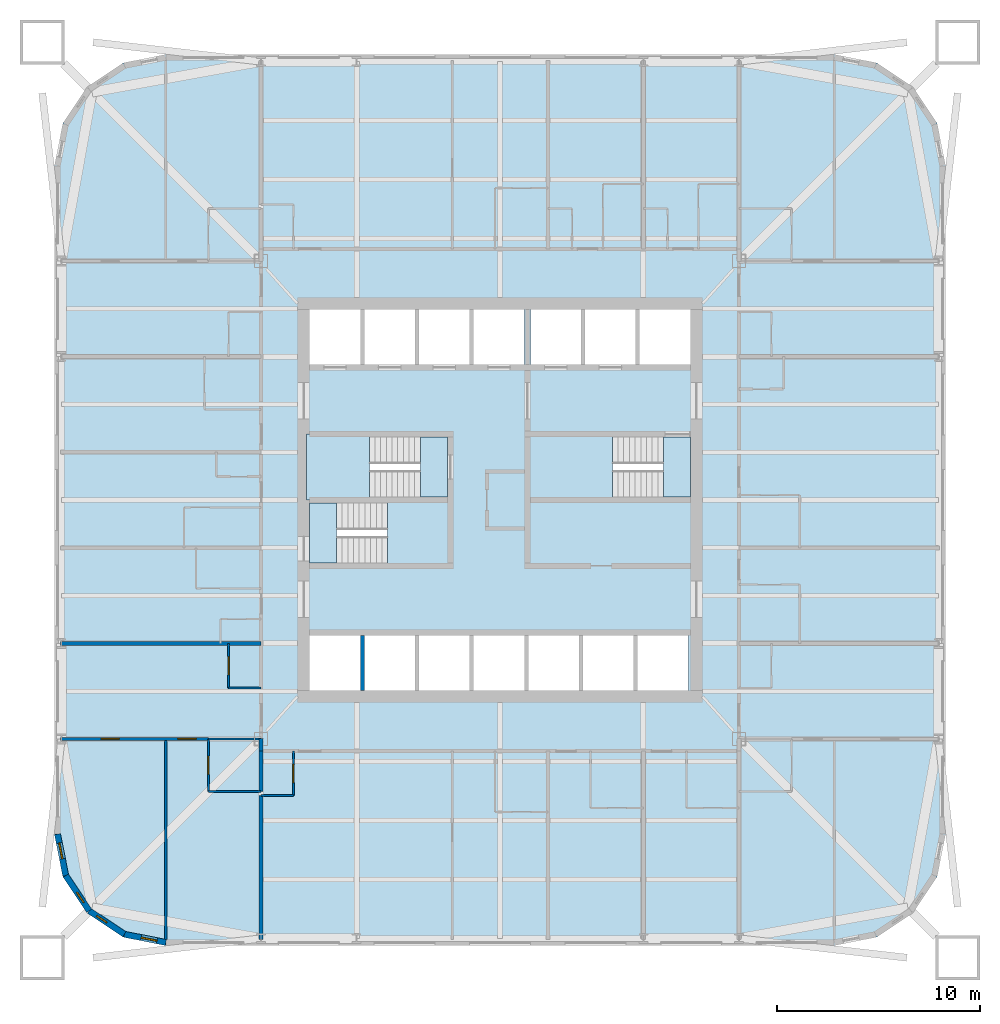
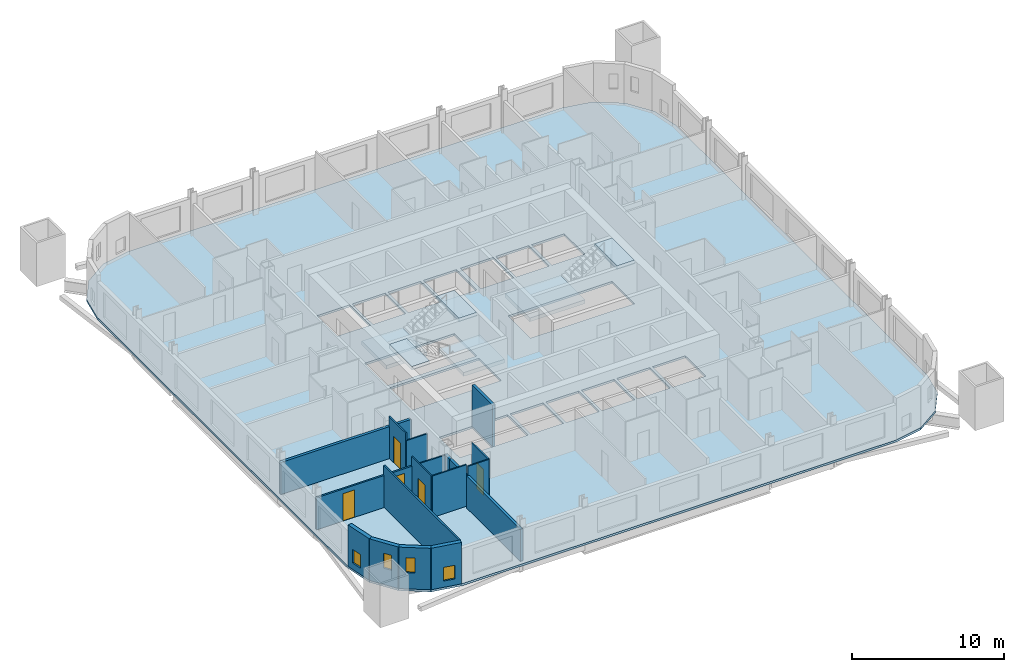
# One storey, part 2 of 9: 18 walls, 7 slabs, 5 doors, 4 windows, 9 openings, 3 elements without a shape of their own.
"""IFC4 building model written with IfcOpenShell, lengths in metres."""

import ifcopenshell
import ifcopenshell.guid

model = None  # the IFC model being written
_history = None  # IfcOwnerHistory: only IFC2X3 demands one
_inside = {}  # id of a spatial element -> (the spatial element, [elements in it])
_under = {}  # id of a project, library or spatial element -> (it, [spatial elements below it])
_declared = {}  # id of a project -> (the project, [libraries it declares])
_typed = {}  # id of a type object -> (the type object, [elements of that type])
_made_of = {}  # id of a material, layer set ... -> (it, [elements and type objects made of it])


def new_model(schema):
    """Start an empty IFC model of exactly this schema.

    Asked for "IFC4X3", IfcOpenShell would pick the latest addendum, in which some entities
    have other attributes; the version numbers below select the first issue.
    IFC2X3 requires an IfcOwnerHistory on every rooted entity: one is made here for all.
    """
    global model, _history
    if schema == "IFC4X3":
        model = ifcopenshell.file(schema_version=(4, 3, 0, 0))
    else:
        model = ifcopenshell.file(schema=schema)
    _inside.clear()
    _under.clear()
    _declared.clear()
    _typed.clear()
    _made_of.clear()
    _history = None
    if model.schema == "IFC2X3":
        org = make("IfcOrganization", Name="unknown")
        user = make(
            "IfcPersonAndOrganization",
            ThePerson=make("IfcPerson", FamilyName="unknown"),
            TheOrganization=org,
        )
        app = make(
            "IfcApplication",
            ApplicationDeveloper=org,
            Version="unknown",
            ApplicationFullName="unknown",
            ApplicationIdentifier="unknown",
        )
        _history = make(
            "IfcOwnerHistory",
            OwningUser=user,
            OwningApplication=app,
            ChangeAction="ADDED",
            CreationDate=0,
        )
    return model


def make(cls, **values):
    """One entity of the class cls with the attributes given. An attribute that is None is left unset."""
    return model.create_entity(
        cls, **{name: value for name, value in values.items() if value is not None}
    )


def rooted(cls, **values):
    """An entity with a GlobalId (a new one), such as an element, a storey or a relation."""
    return make(cls, GlobalId=ifcopenshell.guid.new(), OwnerHistory=_history, **values)


def si_unit(unit_type, name, prefix=None):
    """IfcSIUnit, for example si_unit("LENGTHUNIT", "METRE", prefix="MILLI")."""
    return make("IfcSIUnit", UnitType=unit_type, Prefix=prefix, Name=name)


def assignment(units):
    """IfcUnitAssignment: the units of a project."""
    return None if units is None else make("IfcUnitAssignment", Units=units)


def point(xyz):
    """IfcCartesianPoint."""
    return None if xyz is None else make("IfcCartesianPoint", Coordinates=xyz)


def direction(xyz):
    """IfcDirection."""
    return None if xyz is None else make("IfcDirection", DirectionRatios=xyz)


def frame(location, z_axis=None, x_axis=None):
    """IfcAxis2Placement3D, a coordinate frame: its origin and axes. An axis left out is left unset."""
    return make(
        "IfcAxis2Placement3D",
        Location=point(location),
        Axis=direction(z_axis),
        RefDirection=direction(x_axis),
    )


def frame_2d(location, x_axis=None):
    """IfcAxis2Placement2D, a coordinate frame in the plane: its origin and x axis."""
    return make(
        "IfcAxis2Placement2D", Location=point(location), RefDirection=direction(x_axis)
    )


def origin():
    """The frame at (0, 0, 0) with its axes left unset."""
    return frame((0.0, 0.0, 0.0))


def place(relative_to, where):
    """IfcLocalPlacement: puts the frame where relative to a parent placement (None: the world)."""
    return make(
        "IfcLocalPlacement", PlacementRelTo=relative_to, RelativePlacement=where
    )


def context(
    kind, dimensions, precision=None, world=None, true_north=None, identifier=None
):
    """IfcGeometricRepresentationContext, for example the 3D "Model" context."""
    return make(
        "IfcGeometricRepresentationContext",
        ContextIdentifier=identifier,
        ContextType=kind,
        CoordinateSpaceDimension=dimensions,
        Precision=precision,
        WorldCoordinateSystem=world,
        TrueNorth=true_north,
    )


def subcontext(parent, identifier, kind, view, scale=None):
    """IfcGeometricRepresentationSubContext, for example "Body" below "Model"."""
    return make(
        "IfcGeometricRepresentationSubContext",
        ContextIdentifier=identifier,
        ContextType=kind,
        ParentContext=parent,
        TargetScale=scale,
        TargetView=view,
    )


def project(units=None, contexts=None):
    """IfcProject with its units and contexts."""
    return rooted(
        "IfcProject",
        Name="project",
        RepresentationContexts=contexts,
        UnitsInContext=assignment(units),
    )


def spatial(cls, under=None, at=None, **own):
    """A site, building, storey or space (cls), placed at a placement, below another one or the project."""
    s = rooted(cls, ObjectPlacement=at, **own)
    if under is not None:
        _under.setdefault(under.id(), (under, []))[1].append(s)
    return s


def polyline(points):
    """IfcPolyline through the points."""
    return make("IfcPolyline", Points=[point(p) for p in points])


def profile(cls, at=None, kind="AREA", **sizes):
    """A parametric profile (cls). Its sizes go by their IFC names, for example OverallWidth=200.0."""
    return make(cls, ProfileType=kind, Position=at, **sizes)


def rectangle(**sizes):
    """IfcRectangleProfileDef."""
    return profile("IfcRectangleProfileDef", **sizes)


def outline(outer, holes=None, kind="AREA"):
    """IfcArbitraryClosedProfileDef: a profile drawn as a closed curve; with holes, ...WithVoids."""
    if holes is None:
        return make("IfcArbitraryClosedProfileDef", ProfileType=kind, OuterCurve=outer)
    return make(
        "IfcArbitraryProfileDefWithVoids",
        ProfileType=kind,
        OuterCurve=outer,
        InnerCurves=holes,
    )


def extrude(swept, where, along, depth):
    """IfcExtrudedAreaSolid: the profile swept, set in the frame where, extruded along a direction by depth."""
    return make(
        "IfcExtrudedAreaSolid",
        SweptArea=swept,
        Position=where,
        ExtrudedDirection=direction(along),
        Depth=depth,
    )


def shape(context_of_items, identifier, shape_type, items):
    """IfcShapeRepresentation: the items that make up one representation, for example the "Body"."""
    return make(
        "IfcShapeRepresentation",
        ContextOfItems=context_of_items,
        RepresentationIdentifier=identifier,
        RepresentationType=shape_type,
        Items=items,
    )


def material(Name=None, Category=None):
    """IfcMaterial."""
    return make("IfcMaterial", Name=Name, Category=Category)


def layer(
    of_material, thickness, ventilated=None, Name=None, Category=None, Priority=None
):
    """IfcMaterialLayer: one layer of a wall or slab, of a material (None: an air gap)."""
    return make(
        "IfcMaterialLayer",
        Material=of_material,
        LayerThickness=thickness,
        IsVentilated=ventilated,
        Name=Name,
        Category=Category,
        Priority=Priority,
    )


def layer_set(layers, Name=None):
    """IfcMaterialLayerSet."""
    return make("IfcMaterialLayerSet", MaterialLayers=layers, LayerSetName=Name)


def made_of(thing, what):
    """Note that an element or type object is made of a material, layer set ...; save() writes the relation."""
    if what is not None:
        _made_of.setdefault(what.id(), (what, []))[1].append(thing)
    return thing


def type_object(cls, material=None, **own):
    """A type object (cls), such as IfcWallType, which elements share."""
    return made_of(rooted(cls, **own), material)


def element(
    cls,
    number,
    at=None,
    inside=None,
    cuts=None,
    type_object=None,
    material=None,
    context=None,
    identifier="Body",
    shape_type=None,
    held_by="IfcProductDefinitionShape",
    body=None,
    shapes=None,
    **own,
):
    """One element of the class cls, such as IfcWall. Its Tag is "e" and its number.

    at: its placement. inside: the storey or other place that contains it. cuts: it is an
    opening in that element (IfcRelVoidsElement). A single representation is given by context,
    identifier, shape_type and body (its items); several are given by shapes. held_by: the class
    of the entity that holds the representations. save() writes the other relations.
    """
    e = rooted(cls, Tag="e%d" % number, ObjectPlacement=at, **own)
    if body is not None:
        shapes = [shape(context, identifier, shape_type, body)]
    if shapes is not None:
        e.Representation = make(held_by, Representations=shapes)
    if inside is not None:
        _inside.setdefault(inside.id(), (inside, []))[1].append(e)
    if cuts is not None:
        rooted(
            "IfcRelVoidsElement", RelatingBuildingElement=cuts, RelatedOpeningElement=e
        )
    if type_object is not None:
        _typed.setdefault(type_object.id(), (type_object, []))[1].append(e)
    return made_of(e, material)


def fill(opening, filler):
    """IfcRelFillsElement: the door or window that sits in an opening."""
    return rooted(
        "IfcRelFillsElement",
        RelatingOpeningElement=opening,
        RelatedBuildingElement=filler,
    )


def aggregate(whole, parts):
    """IfcRelAggregates: a whole, such as a stair, and the parts it consists of."""
    return rooted("IfcRelAggregates", RelatingObject=whole, RelatedObjects=parts)


def save(model, path):
    """Write the relations noted so far, then the file.

    IfcRelAggregates (storeys below a building ...), IfcRelContainedInSpatialStructure (elements
    in a storey), IfcRelDefinesByType, IfcRelAssociatesMaterial and IfcRelDeclares: one each for
    every whole, place, type object, material and project.
    """
    for whole, parts in _under.values():
        aggregate(whole, parts)
    for where, things in _inside.values():
        rooted(
            "IfcRelContainedInSpatialStructure",
            RelatedElements=things,
            RelatingStructure=where,
        )
    for kind, things in _typed.values():
        rooted("IfcRelDefinesByType", RelatedObjects=things, RelatingType=kind)
    for what, things in _made_of.values():
        rooted("IfcRelAssociatesMaterial", RelatedObjects=things, RelatingMaterial=what)
    for by, libraries in _declared.values():
        rooted("IfcRelDeclares", RelatingContext=by, RelatedDefinitions=libraries)
    model.write(path)


model = new_model("IFC4")

# Units and contexts
model_context = context("Model", 3, precision=1e-05, world=origin(), true_north=direction((0.0, 1.0)))
body_context = subcontext(model_context, "Body", "Model", "MODEL_VIEW")
ifc_project = project(units=[si_unit("LENGTHUNIT", "METRE"), si_unit("AREAUNIT", "SQUARE_METRE"), si_unit("VOLUMEUNIT", "CUBIC_METRE"), si_unit("PLANEANGLEUNIT", "RADIAN"), si_unit("MASSUNIT", "GRAM", prefix="KILO")], contexts=[model_context])

# Site, building, storey
site_placement = place(None, origin())
site = spatial("IfcSite", under=ifc_project, at=site_placement, CompositionType="ELEMENT")
building_placement = place(site_placement, origin())
building = spatial("IfcBuilding", under=site, at=building_placement, Name="Turquesa Mirador Hotel Tower", CompositionType="ELEMENT")
storey_placement = place(building_placement, frame((0.0, 0.0, 28.5)))
storey = spatial("IfcBuildingStorey", under=building, at=storey_placement, Name="L06", CompositionType="ELEMENT", Elevation=28.5)

# Slab
ifc_material_1 = material(Name="Concrete C28/35", Category="concrete")
ifc_layer_1 = layer(ifc_material_1, 0.169921875)
ifc_layer_set_1 = layer_set([ifc_layer_1], Name="COMPOSITE FLOOR SLAB 170")
slab_type_1 = type_object("IfcSlabType", Name="COMPOSITE FLOOR SLAB 170", PredefinedType="FLOOR", material=ifc_layer_set_1)
slab_1_placement = place(storey_placement, frame((0.0, 0.0, -0.169921875)))
element("IfcSlab", 1, at=slab_1_placement, inside=storey, type_object=slab_type_1, Name="Floor slab L06", PredefinedType="FLOOR", context=body_context, shape_type="SweptSolid", body=[
    extrude(outline(polyline([(71.5, 23.0), (73.604736328125, 23.418701171875), (75.38916015625, 24.61083984375), (76.581298828125, 26.395263671875), (77.0, 28.5), (77.0, 61.5), (76.581298828125, 63.604736328125), (75.38916015625, 65.38916015625), (73.604736328125, 66.581298828125), (71.5, 67.0), (38.5, 67.0), (36.395263671875, 66.581298828125), (34.61083984375, 65.38916015625), (33.418701171875, 63.604736328125), (33.0, 61.5), (33.0, 28.5), (33.418701171875, 26.395263671875), (34.61083984375, 24.61083984375), (36.395263671875, 23.418701171875), (38.5, 23.0), (71.5, 23.0)]), holes=[polyline([(45.60009765625, 51.699951171875), (48.10009765625, 51.699951171875), (48.10009765625, 54.39990234375), (45.60009765625, 54.39990234375), (45.60009765625, 51.699951171875)]), polyline([(48.300048828125, 51.699951171875), (50.800048828125, 51.699951171875), (50.800048828125, 54.39990234375), (48.300048828125, 54.39990234375), (48.300048828125, 51.699951171875)]), polyline([(51.0, 51.699951171875), (53.5, 51.699951171875), (53.5, 54.39990234375), (51.0, 54.39990234375), (51.0, 51.699951171875)]), polyline([(53.699951171875, 51.699951171875), (56.199951171875, 51.699951171875), (56.199951171875, 54.39990234375), (53.699951171875, 54.39990234375), (53.699951171875, 51.699951171875)]), polyline([(56.5, 51.699951171875), (59.0, 51.699951171875), (59.0, 54.39990234375), (56.5, 54.39990234375), (56.5, 51.699951171875)]), polyline([(59.199951171875, 51.699951171875), (61.699951171875, 51.699951171875), (61.699951171875, 54.39990234375), (59.199951171875, 54.39990234375), (59.199951171875, 51.699951171875)]), polyline([(45.60009765625, 35.60009765625), (48.10009765625, 35.60009765625), (48.10009765625, 38.300048828125), (45.60009765625, 38.300048828125), (45.60009765625, 35.60009765625)]), polyline([(48.300048828125, 35.60009765625), (50.800048828125, 35.60009765625), (50.800048828125, 38.300048828125), (48.300048828125, 38.300048828125), (48.300048828125, 35.60009765625)]), polyline([(51.0, 35.60009765625), (53.5, 35.60009765625), (53.5, 38.300048828125), (51.0, 38.300048828125), (51.0, 35.60009765625)]), polyline([(53.699951171875, 35.60009765625), (56.199951171875, 35.60009765625), (56.199951171875, 38.300048828125), (53.699951171875, 38.300048828125), (53.699951171875, 35.60009765625)]), polyline([(56.39990234375, 35.60009765625), (58.89990234375, 35.60009765625), (58.89990234375, 38.300048828125), (56.39990234375, 38.300048828125), (56.39990234375, 35.60009765625)]), polyline([(59.10009765625, 35.60009765625), (61.60009765625, 35.60009765625), (61.60009765625, 38.300048828125), (59.10009765625, 38.300048828125), (59.10009765625, 35.60009765625)]), polyline([(61.800048828125, 35.60009765625), (64.300048828125, 35.60009765625), (64.300048828125, 38.300048828125), (61.800048828125, 38.300048828125), (61.800048828125, 35.60009765625)]), polyline([(45.60009765625, 45.14990234375), (52.39990234375, 45.14990234375), (52.39990234375, 48.10009765625), (45.60009765625, 48.10009765625), (45.60009765625, 45.14990234375)]), polyline([(45.60009765625, 41.89990234375), (52.39990234375, 41.89990234375), (52.39990234375, 44.85009765625), (45.60009765625, 44.85009765625), (45.60009765625, 41.89990234375)]), polyline([(56.5, 45.14990234375), (64.39990234375, 45.14990234375), (64.39990234375, 48.10009765625), (56.5, 48.10009765625), (56.5, 45.14990234375)]), polyline([(61.89990234375, 51.699951171875), (64.39990234375, 51.699951171875), (64.39990234375, 54.39990234375), (61.89990234375, 54.39990234375), (61.89990234375, 51.699951171875)])]), origin(), (0.0, 0.0, 1.0), 0.169921875),
])

# Stair, slabs
ifc_material_2 = material(Name="Concrete C35/45", Category="concrete")
stair_type = type_object("IfcStairType", Name="ESCAPE STAIR CORE", PredefinedType="HALF_TURN_STAIR", material=ifc_material_2)
stair_1_placement = place(storey_placement, origin())
stair_1 = element("IfcStair", 2, at=stair_1_placement, inside=storey, type_object=stair_type, Name="Stair ST1 L06 to L07", PredefinedType="HALF_TURN_STAIR")
ifc_material_3 = material(Name="Concrete C35/45", Category="concrete")
ifc_layer_2 = layer(ifc_material_3, 0.300048828125)
ifc_layer_set_2 = layer_set([ifc_layer_2], Name="STAIR LANDING 300")
slab_type_2 = type_object("IfcSlabType", Name="STAIR LANDING 300", PredefinedType="LANDING", material=ifc_layer_set_2)
slab_2_placement = place(storey_placement, frame((0.0, 0.0, 1.449951171875)))
slab_2 = element("IfcSlab", 3, at=slab_2_placement, type_object=slab_type_2, Name="ST1 landing 1", PredefinedType="LANDING", context=body_context, shape_type="SweptSolid", body=[
    extrude(outline(polyline([(45.449951171875, 45.0), (48.550048828125, 45.0), (48.550048828125, 48.25), (45.449951171875, 48.25), (45.449951171875, 45.0)])), origin(), (0.0, 0.0, 1.0), 0.300048828125),
])
slab_3_placement = place(storey_placement, frame((0.0, 0.0, 3.199951171875)))
slab_3 = element("IfcSlab", 4, at=slab_3_placement, type_object=slab_type_2, Name="ST1 landing 2", PredefinedType="LANDING", context=body_context, shape_type="SweptSolid", body=[
    extrude(outline(polyline([(51.070068359375, 45.14990234375), (52.39990234375, 45.14990234375), (52.39990234375, 48.10009765625), (51.070068359375, 48.10009765625), (51.070068359375, 45.14990234375)])), origin(), (0.0, 0.0, 1.0), 0.300048828125),
])
aggregate(stair_1, [slab_2, slab_3])

stair_2_placement = place(storey_placement, origin())
stair_2 = element("IfcStair", 5, at=stair_2_placement, inside=storey, type_object=stair_type, Name="Stair ST2 L06 to L07", PredefinedType="HALF_TURN_STAIR")
slab_4_placement = place(storey_placement, frame((0.0, 0.0, 1.449951171875)))
slab_4 = element("IfcSlab", 6, at=slab_4_placement, type_object=slab_type_2, Name="ST2 landing 1", PredefinedType="LANDING", context=body_context, shape_type="SweptSolid", body=[
    extrude(outline(polyline([(52.550048828125, 45.0), (49.449951171875, 45.0), (49.449951171875, 41.75), (52.550048828125, 41.75), (52.550048828125, 45.0)])), origin(), (0.0, 0.0, 1.0), 0.300048828125),
])
slab_5_placement = place(storey_placement, frame((0.0, 0.0, 3.199951171875)))
slab_5 = element("IfcSlab", 7, at=slab_5_placement, type_object=slab_type_2, Name="ST2 landing 2", PredefinedType="LANDING", context=body_context, shape_type="SweptSolid", body=[
    extrude(outline(polyline([(46.929931640625, 44.85009765625), (45.60009765625, 44.85009765625), (45.60009765625, 41.89990234375), (46.929931640625, 41.89990234375), (46.929931640625, 44.85009765625)])), origin(), (0.0, 0.0, 1.0), 0.300048828125),
])
aggregate(stair_2, [slab_4, slab_5])

stair_3_placement = place(storey_placement, origin())
stair_3 = element("IfcStair", 8, at=stair_3_placement, inside=storey, type_object=stair_type, Name="Stair ST3 L06 to L07", PredefinedType="HALF_TURN_STAIR")
slab_6_placement = place(storey_placement, frame((0.0, 0.0, 1.449951171875)))
slab_6 = element("IfcSlab", 9, at=slab_6_placement, type_object=slab_type_2, Name="ST3 landing 1", PredefinedType="LANDING", context=body_context, shape_type="SweptSolid", body=[
    extrude(outline(polyline([(56.35009765625, 45.0), (60.550048828125, 45.0), (60.550048828125, 48.25), (56.35009765625, 48.25), (56.35009765625, 45.0)])), origin(), (0.0, 0.0, 1.0), 0.300048828125),
])
slab_7_placement = place(storey_placement, frame((0.0, 0.0, 3.199951171875)))
slab_7 = element("IfcSlab", 10, at=slab_7_placement, type_object=slab_type_2, Name="ST3 landing 2", PredefinedType="LANDING", context=body_context, shape_type="SweptSolid", body=[
    extrude(outline(polyline([(63.070068359375, 45.14990234375), (64.39990234375, 45.14990234375), (64.39990234375, 48.10009765625), (63.070068359375, 48.10009765625), (63.070068359375, 45.14990234375)])), origin(), (0.0, 0.0, 1.0), 0.300048828125),
])
aggregate(stair_3, [slab_6, slab_7])

# Walls
ifc_material_4 = material(Name="Gypsum board on steel studs", Category="steel")
ifc_layer_3 = layer(ifc_material_4, 0.10009765625)
ifc_layer_set_3 = layer_set([ifc_layer_3], Name="BATHROOM WALL 100")
wall_type_1 = type_object("IfcWallType", Name="BATHROOM WALL 100", PredefinedType="PARTITIONING", material=ifc_layer_set_3)
wall_1_placement = place(storey_placement, frame((40.60009765625, 33.199951171875, 0.0), z_axis=(0.0, 0.0, 1.0), x_axis=(1.0, 0.0, 0.0)))
element("IfcWall", 11, at=wall_1_placement, inside=storey, type_object=wall_type_1, Name="Partition L06 002", PredefinedType="PARTITIONING", context=body_context, shape_type="SweptSolid", body=[
    extrude(rectangle(XDim=2.599853515625, YDim=0.10009765625, at=frame_2d((1.2998046875, 0.0))), origin(), (0.0, 0.0, 1.0), 2.572998046875),
])
wall_2_placement = place(storey_placement, frame((40.60009765625, 30.60009765625, 0.0), z_axis=(0.0, 0.0, 1.0), x_axis=(1.0, 0.0, 0.0)))
element("IfcWall", 12, at=wall_2_placement, inside=storey, type_object=wall_type_1, Name="Partition L06 007", PredefinedType="PARTITIONING", context=body_context, shape_type="SweptSolid", body=[
    extrude(rectangle(XDim=2.599853515625, YDim=0.10009765625, at=frame_2d((1.2998046875, 0.0))), origin(), (0.0, 0.0, 1.0), 3.330078125),
])
wall_3_placement = place(storey_placement, frame((43.199951171875, 30.39990234375, 0.0), z_axis=(0.0, 0.0, 1.0), x_axis=(1.0, 0.0, 0.0)))
element("IfcWall", 13, at=wall_3_placement, inside=storey, type_object=wall_type_1, Name="Partition L06 009", PredefinedType="PARTITIONING", context=body_context, shape_type="SweptSolid", body=[
    extrude(rectangle(XDim=1.60009765625, YDim=0.10009765625, at=frame_2d((0.800048828125, 0.0))), origin(), (0.0, 0.0, 1.0), 3.330078125),
])
wall_4_placement = place(storey_placement, frame((41.60009765625, 35.719970703125, 0.0), z_axis=(0.0, 0.0, 1.0), x_axis=(1.0, 0.0, 0.0)))
element("IfcWall", 14, at=wall_4_placement, inside=storey, type_object=wall_type_1, Name="Partition L06 020", PredefinedType="PARTITIONING", context=body_context, shape_type="SweptSolid", body=[
    extrude(rectangle(XDim=1.599853515625, YDim=0.10009765625, at=frame_2d((0.7998046875, 0.0))), origin(), (0.0, 0.0, 1.0), 2.722900390625),
])

# Wall, opening, door
wall_5_placement = place(storey_placement, frame((44.800048828125, 30.39990234375, 0.0), z_axis=(0.0, 0.0, 1.0), x_axis=(0.0, 1.0, 0.0)))
wall_5 = element("IfcWall", 15, at=wall_5_placement, inside=storey, type_object=wall_type_1, Name="Partition L06 046", PredefinedType="PARTITIONING", context=body_context, shape_type="SweptSolid", body=[
    extrude(rectangle(XDim=2.2001953125, YDim=0.10009765625, at=frame_2d((1.10009765625, 0.0))), origin(), (0.0, 0.0, 1.0), 3.330078125),
])
opening_1_placement = place(wall_5_placement, frame((0.64990234375, 0.0, 0.0)))
opening_1 = element("IfcOpeningElement", 16, at=opening_1_placement, cuts=wall_5, Name="Opening D06", PredefinedType="OPENING", context=body_context, shape_type="SweptSolid", body=[
    extrude(rectangle(XDim=0.89990234375, YDim=2.10009765625, at=frame_2d((0.449951171875, 1.050048828125))), frame((0.0, 0.06005859375, 0.0), z_axis=(0.0, -1.0, 0.0), x_axis=(1.0, 0.0, 0.0)), (0.0, 0.0, 1.0), 0.1201171875),
])
ifc_material_5 = material(Name="Laminate door", Category="wood")
door_type_1 = type_object("IfcDoorType", Name="DOOR 900X2100 WC", OperationType="SINGLE_SWING_LEFT", PredefinedType="DOOR", material=ifc_material_5)
door_1_placement = place(opening_1_placement, origin())
door_1 = element("IfcDoor", 17, at=door_1_placement, inside=storey, type_object=door_type_1, Name="Door 0604W", OperationType="SINGLE_SWING_LEFT", OverallHeight=2.10009765625, OverallWidth=0.89990234375, PredefinedType="DOOR", context=body_context, shape_type="SweptSolid", body=[
    extrude(rectangle(XDim=0.89990234375, YDim=2.10009765625, at=frame_2d((0.449951171875, 1.050048828125))), frame((0.0, 0.02490234375, 0.0), z_axis=(0.0, -1.0, 0.0), x_axis=(1.0, 0.0, 0.0)), (0.0, 0.0, 1.0), 0.050048828125),
])
fill(opening_1, door_1)

wall_6_placement = place(storey_placement, frame((41.60009765625, 35.719970703125, 0.0), z_axis=(0.0, 0.0, 1.0), x_axis=(0.0, 1.0, 0.0)))
wall_6 = element("IfcWall", 18, at=wall_6_placement, inside=storey, type_object=wall_type_1, Name="Partition L06 053", PredefinedType="PARTITIONING", context=body_context, shape_type="SweptSolid", body=[
    extrude(rectangle(XDim=2.199951171875, YDim=0.10009765625, at=frame_2d((1.10009765625, 0.0))), origin(), (0.0, 0.0, 1.0), 3.330078125),
])
opening_2_placement = place(wall_6_placement, frame((0.64990234375, 0.0, 0.0)))
opening_2 = element("IfcOpeningElement", 19, at=opening_2_placement, cuts=wall_6, Name="Opening D06", PredefinedType="OPENING", context=body_context, shape_type="SweptSolid", body=[
    extrude(rectangle(XDim=0.89990234375, YDim=2.10009765625, at=frame_2d((0.449951171875, 1.050048828125))), frame((0.0, 0.06005859375, 0.0), z_axis=(0.0, -1.0, 0.0), x_axis=(1.0, 0.0, 0.0)), (0.0, 0.0, 1.0), 0.1201171875),
])
door_2_placement = place(opening_2_placement, origin())
door_2 = element("IfcDoor", 20, at=door_2_placement, inside=storey, type_object=door_type_1, Name="Door 0614W", OperationType="SINGLE_SWING_LEFT", OverallHeight=2.10009765625, OverallWidth=0.89990234375, PredefinedType="DOOR", context=body_context, shape_type="SweptSolid", body=[
    extrude(rectangle(XDim=0.89990234375, YDim=2.10009765625, at=frame_2d((0.449951171875, 1.050048828125))), frame((0.0, 0.02490234375, 0.0), z_axis=(0.0, -1.0, 0.0), x_axis=(1.0, 0.0, 0.0)), (0.0, 0.0, 1.0), 0.050048828125),
])
fill(opening_2, door_2)

wall_7_placement = place(storey_placement, frame((40.60009765625, 30.60009765625, 0.0), z_axis=(0.0, 0.0, 1.0), x_axis=(0.0, 1.0, 0.0)))
wall_7 = element("IfcWall", 21, at=wall_7_placement, inside=storey, type_object=wall_type_1, Name="Partition L06 057", PredefinedType="PARTITIONING", context=body_context, shape_type="SweptSolid", body=[
    extrude(rectangle(XDim=2.599853515625, YDim=0.10009765625, at=frame_2d((1.2998046875, 0.0))), origin(), (0.0, 0.0, 1.0), 3.330078125),
])
opening_3_placement = place(wall_7_placement, frame((0.85009765625, 0.0, 0.0)))
opening_3 = element("IfcOpeningElement", 22, at=opening_3_placement, cuts=wall_7, Name="Opening D02", PredefinedType="OPENING", context=body_context, shape_type="SweptSolid", body=[
    extrude(rectangle(XDim=0.89990234375, YDim=2.10009765625, at=frame_2d((0.449951171875, 1.050048828125))), frame((0.0, 0.06005859375, 0.0), z_axis=(0.0, -1.0, 0.0), x_axis=(1.0, 0.0, 0.0)), (0.0, 0.0, 1.0), 0.1201171875),
])
ifc_material_6 = material(Name="Timber veneered door", Category="wood")
door_type_2 = type_object("IfcDoorType", Name="DOOR 900X2100 EN-SUITE", OperationType="SINGLE_SWING_RIGHT", PredefinedType="DOOR", material=ifc_material_6)
door_3_placement = place(opening_3_placement, origin())
door_3 = element("IfcDoor", 23, at=door_3_placement, inside=storey, type_object=door_type_2, Name="Door 0614B", OperationType="SINGLE_SWING_RIGHT", OverallHeight=2.10009765625, OverallWidth=0.89990234375, PredefinedType="DOOR", context=body_context, shape_type="SweptSolid", body=[
    extrude(rectangle(XDim=0.89990234375, YDim=2.10009765625, at=frame_2d((0.449951171875, 1.050048828125))), frame((0.0, 0.02490234375, 0.0), z_axis=(0.0, -1.0, 0.0), x_axis=(1.0, 0.0, 0.0)), (0.0, 0.0, 1.0), 0.050048828125),
])
fill(opening_3, door_3)

# Wall
ifc_material_7 = material(Name="Fire-rated gypsum board on steel studs", Category="steel")
ifc_layer_4 = layer(ifc_material_7, 0.199951171875)
ifc_layer_set_4 = layer_set([ifc_layer_4], Name="CORRIDOR WALL 200")
wall_type_2 = type_object("IfcWallType", Name="CORRIDOR WALL 200", PredefinedType="PARTITIONING", material=ifc_layer_set_4)
wall_8_placement = place(storey_placement, frame((43.199951171875, 32.60009765625, 0.0), z_axis=(0.0, 0.0, 1.0), x_axis=(0.0, 1.0, 0.0)))
element("IfcWall", 24, at=wall_8_placement, inside=storey, type_object=wall_type_2, Name="Partition L06 088", PredefinedType="PARTITIONING", context=body_context, shape_type="SweptSolid", body=[
    extrude(rectangle(XDim=0.619873046875, YDim=0.199951171875, at=frame_2d((0.31005859375, 0.0))), origin(), (0.0, 0.0, 1.0), 2.572998046875),
])

# Wall, opening, window
ifc_material_8 = material(Name="Limestone cladding on concrete block", Category="masonry")
ifc_layer_5 = layer(ifc_material_8, 0.300048828125)
ifc_layer_set_5 = layer_set([ifc_layer_5], Name="FACADE WALL 300 STONE SCREEN")
wall_type_3 = type_object("IfcWallType", Name="FACADE WALL 300 STONE SCREEN", PredefinedType="SOLIDWALL", material=ifc_layer_set_5)
wall_9_placement = place(storey_placement, frame((33.14990234375, 28.5, 0.0), z_axis=(0.0, 0.0, 1.0), x_axis=(0.195081421501, -0.980787050784, 0.0)))
wall_9 = element("IfcWall", 25, at=wall_9_placement, inside=storey, type_object=wall_type_3, Name="Facade wall L06 15", PredefinedType="SOLIDWALL", context=body_context, shape_type="SweptSolid", body=[
    extrude(rectangle(XDim=2.08740234375, YDim=0.300048828125, at=frame_2d((1.043701171875, 0.0))), origin(), (0.0, 0.0, 1.0), 3.330078125),
])
opening_4_placement = place(wall_9_placement, frame((0.443603515625, 0.0, 0.5)))
opening_4 = element("IfcOpeningElement", 26, at=opening_4_placement, cuts=wall_9, Name="Opening WN19", PredefinedType="OPENING", context=body_context, shape_type="SweptSolid", body=[
    extrude(rectangle(XDim=0.800048828125, YDim=1.10009765625, at=frame_2d((0.39990234375, 0.550048828125))), frame((0.0, 0.159912109375, 0.0), z_axis=(0.0, -1.0, 0.0), x_axis=(1.0, 0.0, 0.0)), (0.0, 0.0, 1.0), 0.320068359375),
])
ifc_material_9 = material(Name="Ceramic-fritted laminated glass", Category="glass")
window_type_1 = type_object("IfcWindowType", Name="FRITTED CORNER WINDOW 800X1100", PartitioningType="DOUBLE_PANEL_HORIZONTAL", PredefinedType="WINDOW", material=ifc_material_9)
window_1_placement = place(opening_4_placement, origin())
window_1 = element("IfcWindow", 27, at=window_1_placement, inside=storey, type_object=window_type_1, Name="Window L06", OverallHeight=1.10009765625, OverallWidth=0.800048828125, PartitioningType="SINGLE_PANEL", PredefinedType="WINDOW", context=body_context, shape_type="SweptSolid", body=[
    extrude(rectangle(XDim=0.800048828125, YDim=1.10009765625, at=frame_2d((0.39990234375, 0.550048828125))), frame((0.0, 0.030029296875, 0.0), z_axis=(0.0, -1.0, 0.0), x_axis=(1.0, 0.0, 0.0)), (0.0, 0.0, 1.0), 0.06005859375),
])
fill(opening_4, window_1)

wall_10_placement = place(storey_placement, frame((33.55712890625, 26.45263671875, 0.0), z_axis=(0.0, 0.0, 1.0), x_axis=(0.555644460423, -0.831420010345, 0.0)))
wall_10 = element("IfcWall", 28, at=wall_10_placement, inside=storey, type_object=wall_type_3, Name="Facade wall L06 16", PredefinedType="SOLIDWALL", context=body_context, shape_type="SweptSolid", body=[
    extrude(rectangle(XDim=2.08740234375, YDim=0.300048828125, at=frame_2d((1.043701171875, 0.0))), origin(), (0.0, 0.0, 1.0), 3.330078125),
])
opening_5_placement = place(wall_10_placement, frame((0.99365234375, 0.0, 1.300048828125)))
opening_5 = element("IfcOpeningElement", 29, at=opening_5_placement, cuts=wall_10, Name="Opening WN13", PredefinedType="OPENING", context=body_context, shape_type="SweptSolid", body=[
    extrude(rectangle(XDim=0.60009765625, YDim=1.199951171875, at=frame_2d((0.300048828125, 0.60009765625))), frame((0.0, 0.159912109375, 0.0), z_axis=(0.0, -1.0, 0.0), x_axis=(1.0, 0.0, 0.0)), (0.0, 0.0, 1.0), 0.320068359375),
])
ifc_material_10 = material(Name="Ceramic-fritted laminated glass", Category="glass")
window_type_2 = type_object("IfcWindowType", Name="FRITTED CORNER WINDOW 600X1200", PartitioningType="DOUBLE_PANEL_HORIZONTAL", PredefinedType="WINDOW", material=ifc_material_10)
window_2_placement = place(opening_5_placement, origin())
window_2 = element("IfcWindow", 30, at=window_2_placement, inside=storey, type_object=window_type_2, Name="Window L06", OverallHeight=1.199951171875, OverallWidth=0.60009765625, PartitioningType="SINGLE_PANEL", PredefinedType="WINDOW", context=body_context, shape_type="SweptSolid", body=[
    extrude(rectangle(XDim=0.60009765625, YDim=1.199951171875, at=frame_2d((0.300048828125, 0.60009765625))), frame((0.0, 0.030029296875, 0.0), z_axis=(0.0, -1.0, 0.0), x_axis=(1.0, 0.0, 0.0)), (0.0, 0.0, 1.0), 0.06005859375),
])
fill(opening_5, window_2)

wall_11_placement = place(storey_placement, frame((34.717041015625, 24.717041015625, 0.0), z_axis=(0.0, 0.0, 1.0), x_axis=(0.831420010345, -0.555644460423, 0.0)))
wall_11 = element("IfcWall", 31, at=wall_11_placement, inside=storey, type_object=wall_type_3, Name="Facade wall L06 17", PredefinedType="SOLIDWALL", context=body_context, shape_type="SweptSolid", body=[
    extrude(rectangle(XDim=2.08740234375, YDim=0.300048828125, at=frame_2d((1.043701171875, 0.0))), origin(), (0.0, 0.0, 1.0), 3.330078125),
])
opening_6_placement = place(wall_11_placement, frame((0.443603515625, 0.0, 1.300048828125)))
opening_6 = element("IfcOpeningElement", 32, at=opening_6_placement, cuts=wall_11, Name="Opening WN13", PredefinedType="OPENING", context=body_context, shape_type="SweptSolid", body=[
    extrude(rectangle(XDim=0.60009765625, YDim=1.199951171875, at=frame_2d((0.300048828125, 0.60009765625))), frame((0.0, 0.159912109375, 0.0), z_axis=(0.0, -1.0, 0.0), x_axis=(1.0, 0.0, 0.0)), (0.0, 0.0, 1.0), 0.320068359375),
])
window_3_placement = place(opening_6_placement, origin())
window_3 = element("IfcWindow", 33, at=window_3_placement, inside=storey, type_object=window_type_2, Name="Window L06", OverallHeight=1.199951171875, OverallWidth=0.60009765625, PartitioningType="SINGLE_PANEL", PredefinedType="WINDOW", context=body_context, shape_type="SweptSolid", body=[
    extrude(rectangle(XDim=0.60009765625, YDim=1.199951171875, at=frame_2d((0.300048828125, 0.60009765625))), frame((0.0, 0.030029296875, 0.0), z_axis=(0.0, -1.0, 0.0), x_axis=(1.0, 0.0, 0.0)), (0.0, 0.0, 1.0), 0.06005859375),
])
fill(opening_6, window_3)

wall_12_placement = place(storey_placement, frame((36.45263671875, 23.55712890625, 0.0), z_axis=(0.0, 0.0, 1.0), x_axis=(0.980787050784, -0.195081421501, 0.0)))
wall_12 = element("IfcWall", 34, at=wall_12_placement, inside=storey, type_object=wall_type_3, Name="Facade wall L06 18", PredefinedType="SOLIDWALL", context=body_context, shape_type="SweptSolid", body=[
    extrude(rectangle(XDim=2.08740234375, YDim=0.300048828125, at=frame_2d((1.043701171875, 0.0))), origin(), (0.0, 0.0, 1.0), 3.330078125),
])
opening_7_placement = place(wall_12_placement, frame((0.84375, 0.0, 0.5)))
opening_7 = element("IfcOpeningElement", 35, at=opening_7_placement, cuts=wall_12, Name="Opening WN19", PredefinedType="OPENING", context=body_context, shape_type="SweptSolid", body=[
    extrude(rectangle(XDim=0.800048828125, YDim=1.10009765625, at=frame_2d((0.39990234375, 0.550048828125))), frame((0.0, 0.159912109375, 0.0), z_axis=(0.0, -1.0, 0.0), x_axis=(1.0, 0.0, 0.0)), (0.0, 0.0, 1.0), 0.320068359375),
])
window_4_placement = place(opening_7_placement, origin())
window_4 = element("IfcWindow", 36, at=window_4_placement, inside=storey, type_object=window_type_1, Name="Window L06", OverallHeight=1.10009765625, OverallWidth=0.800048828125, PartitioningType="SINGLE_PANEL", PredefinedType="WINDOW", context=body_context, shape_type="SweptSolid", body=[
    extrude(rectangle(XDim=0.800048828125, YDim=1.10009765625, at=frame_2d((0.39990234375, 0.550048828125))), frame((0.0, 0.030029296875, 0.0), z_axis=(0.0, -1.0, 0.0), x_axis=(1.0, 0.0, 0.0)), (0.0, 0.0, 1.0), 0.06005859375),
])
fill(opening_7, window_4)

# Walls
ifc_material_11 = material(Name="Fire-rated gypsum shaft wall on steel studs", Category="steel")
ifc_layer_6 = layer(ifc_material_11, 0.199951171875)
ifc_layer_set_6 = layer_set([ifc_layer_6], Name="LIFT SHAFT DIVIDER 200")
wall_type_4 = type_object("IfcWallType", Name="LIFT SHAFT DIVIDER 200", PredefinedType="PARTITIONING", material=ifc_layer_set_6)
wall_13_placement = place(storey_placement, frame((48.199951171875, 35.60009765625, 0.0), z_axis=(0.0, 0.0, 1.0), x_axis=(0.0, 1.0, 0.0)))
element("IfcWall", 37, at=wall_13_placement, inside=storey, type_object=wall_type_4, Name="Lift shaft divider", PredefinedType="PARTITIONING", context=body_context, shape_type="SweptSolid", body=[
    extrude(rectangle(XDim=2.699951171875, YDim=0.199951171875, at=frame_2d((1.35009765625, 0.0))), origin(), (0.0, 0.0, 1.0), 3.330078125),
])
ifc_material_12 = material(Name="Fire-rated gypsum board on steel studs", Category="steel")
ifc_layer_7 = layer(ifc_material_12, 0.199951171875)
ifc_layer_set_7 = layer_set([ifc_layer_7], Name="PARTY WALL 200")
wall_type_5 = type_object("IfcWallType", Name="PARTY WALL 200", PredefinedType="PARTITIONING", material=ifc_layer_set_7)
wall_14_placement = place(storey_placement, frame((33.300048828125, 37.919921875, 0.0), z_axis=(0.0, 0.0, 1.0), x_axis=(1.0, 0.0, 0.0)))
element("IfcWall", 38, at=wall_14_placement, inside=storey, type_object=wall_type_5, Name="Partition L06 018", PredefinedType="PARTITIONING", context=body_context, shape_type="SweptSolid", body=[
    extrude(rectangle(XDim=9.89990234375, YDim=0.199951171875, at=frame_2d((4.949951171875, 0.0))), origin(), (0.0, 0.0, 1.0), 2.572998046875),
])
wall_15_placement = place(storey_placement, frame((43.199951171875, 23.300048828125, 0.0), z_axis=(0.0, 0.0, 1.0), x_axis=(0.0, 1.0, 0.0)))
element("IfcWall", 39, at=wall_15_placement, inside=storey, type_object=wall_type_5, Name="Partition L06 049", PredefinedType="PARTITIONING", context=body_context, shape_type="SweptSolid", body=[
    extrude(rectangle(XDim=7.099853515625, YDim=0.199951171875, at=frame_2d((3.5498046875, 0.0))), origin(), (0.0, 0.0, 1.0), 2.572998046875),
])
wall_16_placement = place(storey_placement, frame((43.199951171875, 30.60009765625, 0.0), z_axis=(0.0, 0.0, 1.0), x_axis=(0.0, 1.0, 0.0)))
element("IfcWall", 40, at=wall_16_placement, inside=storey, type_object=wall_type_5, Name="Partition L06 050", PredefinedType="PARTITIONING", context=body_context, shape_type="SweptSolid", body=[
    extrude(rectangle(XDim=2.0, YDim=0.199951171875, at=frame_2d((1.0, 0.0))), origin(), (0.0, 0.0, 1.0), 2.572998046875),
])

# Wall, openings, doors
ifc_material_13 = material(Name="Acoustic gypsum board on steel studs", Category="steel")
ifc_layer_8 = layer(ifc_material_13, 0.125)
ifc_layer_set_8 = layer_set([ifc_layer_8], Name="SUITE PARTITION 125")
wall_type_6 = type_object("IfcWallType", Name="SUITE PARTITION 125", PredefinedType="PARTITIONING", material=ifc_layer_set_8)
wall_17_placement = place(storey_placement, frame((33.300048828125, 33.199951171875, 0.0), z_axis=(0.0, 0.0, 1.0), x_axis=(1.0, 0.0, 0.0)))
wall_17 = element("IfcWall", 41, at=wall_17_placement, inside=storey, type_object=wall_type_6, Name="Partition L06 004", PredefinedType="PARTITIONING", context=body_context, shape_type="SweptSolid", body=[
    extrude(rectangle(XDim=7.300048828125, YDim=0.125, at=frame_2d((3.64990234375, 0.0))), origin(), (0.0, 0.0, 1.0), 2.572998046875),
])
opening_8_placement = place(wall_17_placement, frame((5.800048828125, 0.0, 0.0)))
opening_8 = element("IfcOpeningElement", 42, at=opening_8_placement, cuts=wall_17, Name="Opening D17", PredefinedType="OPENING", context=body_context, shape_type="SweptSolid", body=[
    extrude(rectangle(XDim=0.89990234375, YDim=2.199951171875, at=frame_2d((0.449951171875, 1.10009765625))), frame((0.0, 0.072509765625, 0.0), z_axis=(0.0, -1.0, 0.0), x_axis=(1.0, 0.0, 0.0)), (0.0, 0.0, 1.0), 0.14501953125),
])
opening_9_placement = place(wall_17_placement, frame((2.0, 0.0, 0.0)))
opening_9 = element("IfcOpeningElement", 43, at=opening_9_placement, cuts=wall_17, Name="Opening D17", PredefinedType="OPENING", context=body_context, shape_type="SweptSolid", body=[
    extrude(rectangle(XDim=0.89990234375, YDim=2.199951171875, at=frame_2d((0.449951171875, 1.10009765625))), frame((0.0, 0.072509765625, 0.0), z_axis=(0.0, -1.0, 0.0), x_axis=(1.0, 0.0, 0.0)), (0.0, 0.0, 1.0), 0.14501953125),
])
ifc_material_14 = material(Name="Timber veneered door", Category="wood")
door_type_3 = type_object("IfcDoorType", Name="DOOR 900X2200 SUITE INTERNAL", OperationType="SINGLE_SWING_LEFT", PredefinedType="DOOR", material=ifc_material_14)
door_4_placement = place(opening_8_placement, origin())
door_4 = element("IfcDoor", 44, at=door_4_placement, inside=storey, type_object=door_type_3, Name="Door 0614R", OperationType="SINGLE_SWING_LEFT", OverallHeight=2.199951171875, OverallWidth=0.89990234375, PredefinedType="DOOR", context=body_context, shape_type="SweptSolid", body=[
    extrude(rectangle(XDim=0.89990234375, YDim=2.199951171875, at=frame_2d((0.449951171875, 1.10009765625))), frame((0.0, 0.02490234375, 0.0), z_axis=(0.0, -1.0, 0.0), x_axis=(1.0, 0.0, 0.0)), (0.0, 0.0, 1.0), 0.050048828125),
])
fill(opening_8, door_4)
door_5_placement = place(opening_9_placement, origin())
door_5 = element("IfcDoor", 45, at=door_5_placement, inside=storey, type_object=door_type_3, Name="Door 0614S", OperationType="SINGLE_SWING_LEFT", OverallHeight=2.199951171875, OverallWidth=0.89990234375, PredefinedType="DOOR", context=body_context, shape_type="SweptSolid", body=[
    extrude(rectangle(XDim=0.89990234375, YDim=2.199951171875, at=frame_2d((0.449951171875, 1.10009765625))), frame((0.0, 0.02490234375, 0.0), z_axis=(0.0, -1.0, 0.0), x_axis=(1.0, 0.0, 0.0)), (0.0, 0.0, 1.0), 0.050048828125),
])
fill(opening_9, door_5)

# Wall
wall_18_placement = place(storey_placement, frame((38.5, 23.305908203125, 0.0), z_axis=(0.0, 0.0, 1.0), x_axis=(0.0, 1.0, 0.0)))
element("IfcWall", 46, at=wall_18_placement, inside=storey, type_object=wall_type_6, Name="Partition L06 062", PredefinedType="PARTITIONING", context=body_context, shape_type="SweptSolid", body=[
    extrude(rectangle(XDim=9.89404296875, YDim=0.125, at=frame_2d((4.947021484375, 0.0))), origin(), (0.0, 0.0, 1.0), 3.330078125),
])

save(model, "model.ifc")
